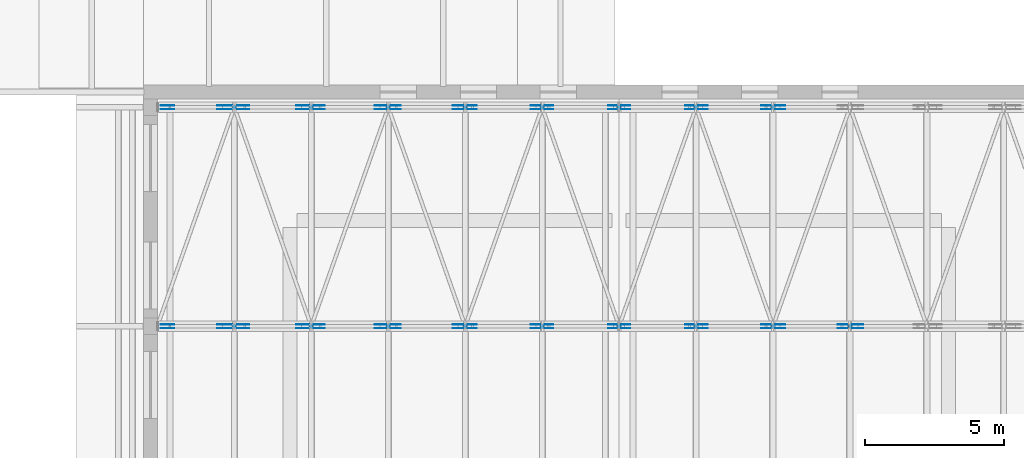
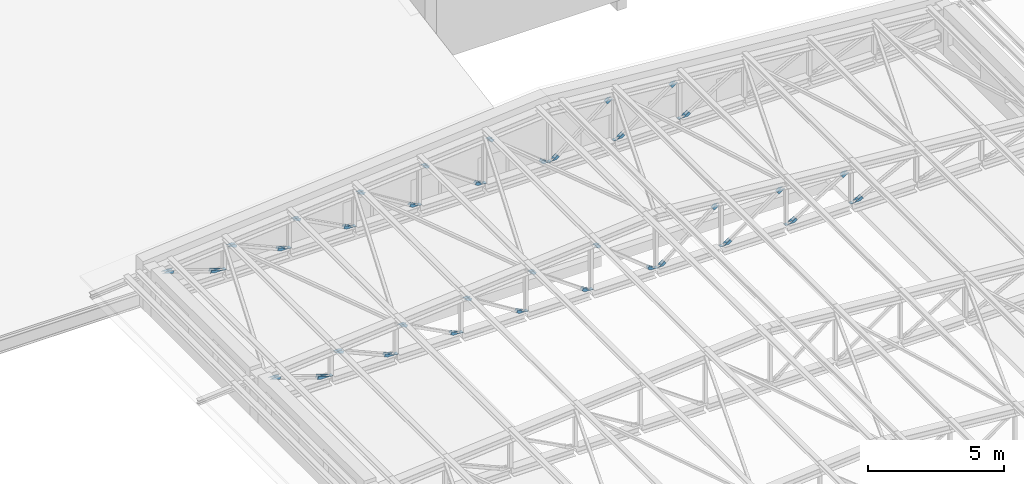
# One storey, part 50 of 60: 89 discrete accessories.
"""IFC4 building model written with IfcOpenShell, lengths in metres."""

import ifcopenshell
import ifcopenshell.guid

model = None  # the IFC model being written
_history = None  # IfcOwnerHistory: only IFC2X3 demands one
_inside = {}  # id of a spatial element -> (the spatial element, [elements in it])
_under = {}  # id of a project, library or spatial element -> (it, [spatial elements below it])
_declared = {}  # id of a project -> (the project, [libraries it declares])
_typed = {}  # id of a type object -> (the type object, [elements of that type])
_made_of = {}  # id of a material, layer set ... -> (it, [elements and type objects made of it])


def new_model(schema):
    """Start an empty IFC model of exactly this schema.

    Asked for "IFC4X3", IfcOpenShell would pick the latest addendum, in which some entities
    have other attributes; the version numbers below select the first issue.
    IFC2X3 requires an IfcOwnerHistory on every rooted entity: one is made here for all.
    """
    global model, _history
    if schema == "IFC4X3":
        model = ifcopenshell.file(schema_version=(4, 3, 0, 0))
    else:
        model = ifcopenshell.file(schema=schema)
    _inside.clear()
    _under.clear()
    _declared.clear()
    _typed.clear()
    _made_of.clear()
    _history = None
    if model.schema == "IFC2X3":
        org = make("IfcOrganization", Name="unknown")
        user = make(
            "IfcPersonAndOrganization",
            ThePerson=make("IfcPerson", FamilyName="unknown"),
            TheOrganization=org,
        )
        app = make(
            "IfcApplication",
            ApplicationDeveloper=org,
            Version="unknown",
            ApplicationFullName="unknown",
            ApplicationIdentifier="unknown",
        )
        _history = make(
            "IfcOwnerHistory",
            OwningUser=user,
            OwningApplication=app,
            ChangeAction="ADDED",
            CreationDate=0,
        )
    return model


def make(cls, **values):
    """One entity of the class cls with the attributes given. An attribute that is None is left unset."""
    return model.create_entity(
        cls, **{name: value for name, value in values.items() if value is not None}
    )


def rooted(cls, **values):
    """An entity with a GlobalId (a new one), such as an element, a storey or a relation."""
    return make(cls, GlobalId=ifcopenshell.guid.new(), OwnerHistory=_history, **values)


def si_unit(unit_type, name, prefix=None):
    """IfcSIUnit, for example si_unit("LENGTHUNIT", "METRE", prefix="MILLI")."""
    return make("IfcSIUnit", UnitType=unit_type, Prefix=prefix, Name=name)


def assignment(units):
    """IfcUnitAssignment: the units of a project."""
    return None if units is None else make("IfcUnitAssignment", Units=units)


def point(xyz):
    """IfcCartesianPoint."""
    return None if xyz is None else make("IfcCartesianPoint", Coordinates=xyz)


def direction(xyz):
    """IfcDirection."""
    return None if xyz is None else make("IfcDirection", DirectionRatios=xyz)


def frame(location, z_axis=None, x_axis=None):
    """IfcAxis2Placement3D, a coordinate frame: its origin and axes. An axis left out is left unset."""
    return make(
        "IfcAxis2Placement3D",
        Location=point(location),
        Axis=direction(z_axis),
        RefDirection=direction(x_axis),
    )


def frame_2d(location, x_axis=None):
    """IfcAxis2Placement2D, a coordinate frame in the plane: its origin and x axis."""
    return make(
        "IfcAxis2Placement2D", Location=point(location), RefDirection=direction(x_axis)
    )


def origin():
    """The frame at (0, 0, 0) with its axes left unset."""
    return frame((0.0, 0.0, 0.0))


def origin_2d():
    """The frame at (0, 0) in the plane with its x axis left unset."""
    return frame_2d((0.0, 0.0))


def place(relative_to, where):
    """IfcLocalPlacement: puts the frame where relative to a parent placement (None: the world)."""
    return make(
        "IfcLocalPlacement", PlacementRelTo=relative_to, RelativePlacement=where
    )


def context(
    kind, dimensions, precision=None, world=None, true_north=None, identifier=None
):
    """IfcGeometricRepresentationContext, for example the 3D "Model" context."""
    return make(
        "IfcGeometricRepresentationContext",
        ContextIdentifier=identifier,
        ContextType=kind,
        CoordinateSpaceDimension=dimensions,
        Precision=precision,
        WorldCoordinateSystem=world,
        TrueNorth=true_north,
    )


def subcontext(parent, identifier, kind, view, scale=None):
    """IfcGeometricRepresentationSubContext, for example "Body" below "Model"."""
    return make(
        "IfcGeometricRepresentationSubContext",
        ContextIdentifier=identifier,
        ContextType=kind,
        ParentContext=parent,
        TargetScale=scale,
        TargetView=view,
    )


def project(units=None, contexts=None):
    """IfcProject with its units and contexts."""
    return rooted(
        "IfcProject",
        Name="project",
        RepresentationContexts=contexts,
        UnitsInContext=assignment(units),
    )


def spatial(cls, under=None, at=None, **own):
    """A site, building, storey or space (cls), placed at a placement, below another one or the project."""
    s = rooted(cls, ObjectPlacement=at, **own)
    if under is not None:
        _under.setdefault(under.id(), (under, []))[1].append(s)
    return s


def polyline(points):
    """IfcPolyline through the points."""
    return make("IfcPolyline", Points=[point(p) for p in points])


def profile(cls, at=None, kind="AREA", **sizes):
    """A parametric profile (cls). Its sizes go by their IFC names, for example OverallWidth=200.0."""
    return make(cls, ProfileType=kind, Position=at, **sizes)


def rectangle(**sizes):
    """IfcRectangleProfileDef."""
    return profile("IfcRectangleProfileDef", **sizes)


def outline(outer, holes=None, kind="AREA"):
    """IfcArbitraryClosedProfileDef: a profile drawn as a closed curve; with holes, ...WithVoids."""
    if holes is None:
        return make("IfcArbitraryClosedProfileDef", ProfileType=kind, OuterCurve=outer)
    return make(
        "IfcArbitraryProfileDefWithVoids",
        ProfileType=kind,
        OuterCurve=outer,
        InnerCurves=holes,
    )


def extrude(swept, where, along, depth):
    """IfcExtrudedAreaSolid: the profile swept, set in the frame where, extruded along a direction by depth."""
    return make(
        "IfcExtrudedAreaSolid",
        SweptArea=swept,
        Position=where,
        ExtrudedDirection=direction(along),
        Depth=depth,
    )


def shape(context_of_items, identifier, shape_type, items):
    """IfcShapeRepresentation: the items that make up one representation, for example the "Body"."""
    return make(
        "IfcShapeRepresentation",
        ContextOfItems=context_of_items,
        RepresentationIdentifier=identifier,
        RepresentationType=shape_type,
        Items=items,
    )


def material(Name=None, Category=None):
    """IfcMaterial."""
    return make("IfcMaterial", Name=Name, Category=Category)


def layer(
    of_material, thickness, ventilated=None, Name=None, Category=None, Priority=None
):
    """IfcMaterialLayer: one layer of a wall or slab, of a material (None: an air gap)."""
    return make(
        "IfcMaterialLayer",
        Material=of_material,
        LayerThickness=thickness,
        IsVentilated=ventilated,
        Name=Name,
        Category=Category,
        Priority=Priority,
    )


def layer_set(layers, Name=None):
    """IfcMaterialLayerSet."""
    return make("IfcMaterialLayerSet", MaterialLayers=layers, LayerSetName=Name)


def made_of(thing, what):
    """Note that an element or type object is made of a material, layer set ...; save() writes the relation."""
    if what is not None:
        _made_of.setdefault(what.id(), (what, []))[1].append(thing)
    return thing


def type_object(cls, material=None, **own):
    """A type object (cls), such as IfcWallType, which elements share."""
    return made_of(rooted(cls, **own), material)


def element(
    cls,
    number,
    at=None,
    inside=None,
    cuts=None,
    type_object=None,
    material=None,
    context=None,
    identifier="Body",
    shape_type=None,
    held_by="IfcProductDefinitionShape",
    body=None,
    shapes=None,
    **own,
):
    """One element of the class cls, such as IfcWall. Its Tag is "e" and its number.

    at: its placement. inside: the storey or other place that contains it. cuts: it is an
    opening in that element (IfcRelVoidsElement). A single representation is given by context,
    identifier, shape_type and body (its items); several are given by shapes. held_by: the class
    of the entity that holds the representations. save() writes the other relations.
    """
    e = rooted(cls, Tag="e%d" % number, ObjectPlacement=at, **own)
    if body is not None:
        shapes = [shape(context, identifier, shape_type, body)]
    if shapes is not None:
        e.Representation = make(held_by, Representations=shapes)
    if inside is not None:
        _inside.setdefault(inside.id(), (inside, []))[1].append(e)
    if cuts is not None:
        rooted(
            "IfcRelVoidsElement", RelatingBuildingElement=cuts, RelatedOpeningElement=e
        )
    if type_object is not None:
        _typed.setdefault(type_object.id(), (type_object, []))[1].append(e)
    return made_of(e, material)


def aggregate(whole, parts):
    """IfcRelAggregates: a whole, such as a stair, and the parts it consists of."""
    return rooted("IfcRelAggregates", RelatingObject=whole, RelatedObjects=parts)


def save(model, path):
    """Write the relations noted so far, then the file.

    IfcRelAggregates (storeys below a building ...), IfcRelContainedInSpatialStructure (elements
    in a storey), IfcRelDefinesByType, IfcRelAssociatesMaterial and IfcRelDeclares: one each for
    every whole, place, type object, material and project.
    """
    for whole, parts in _under.values():
        aggregate(whole, parts)
    for where, things in _inside.values():
        rooted(
            "IfcRelContainedInSpatialStructure",
            RelatedElements=things,
            RelatingStructure=where,
        )
    for kind, things in _typed.values():
        rooted("IfcRelDefinesByType", RelatedObjects=things, RelatingType=kind)
    for what, things in _made_of.values():
        rooted("IfcRelAssociatesMaterial", RelatedObjects=things, RelatingMaterial=what)
    for by, libraries in _declared.values():
        rooted("IfcRelDeclares", RelatingContext=by, RelatedDefinitions=libraries)
    model.write(path)


model = new_model("IFC4")

# Units and contexts
model_context = context("Model", 3, precision=1e-05, world=origin(), true_north=direction((0.0, 1.0)))
body_context = subcontext(model_context, "Body", "Model", "MODEL_VIEW")
ifc_project = project(units=[si_unit("LENGTHUNIT", "METRE"), si_unit("AREAUNIT", "SQUARE_METRE"), si_unit("VOLUMEUNIT", "CUBIC_METRE"), si_unit("PLANEANGLEUNIT", "RADIAN"), si_unit("MASSUNIT", "GRAM", prefix="KILO")], contexts=[model_context])

# Site, building, storey
site_placement = place(None, origin())
site = spatial("IfcSite", under=ifc_project, at=site_placement, CompositionType="ELEMENT")
building_placement = place(site_placement, origin())
building = spatial("IfcBuilding", under=site, at=building_placement, Name="Ljudholm Concert House", CompositionType="ELEMENT")
storey_placement = place(building_placement, frame((0.0, 0.0, 15.0)))
storey = spatial("IfcBuildingStorey", under=building, at=storey_placement, Name="L03", CompositionType="ELEMENT", Elevation=15.0)

# Discrete accessories
ifc_material_1 = material(Name="Steel ASTM A36 plate", Category="steel")
ifc_layer_1 = layer(ifc_material_1, 0.011962890625)
ifc_layer_set_1 = layer_set([ifc_layer_1], Name="Steel ASTM A36 plate")
discrete_accessory_type_1 = type_object("IfcDiscreteAccessoryType", Name="GUSSET PLATE 12", PredefinedType="BRACKET", material=ifc_layer_set_1)
for number, where, z_axis, x_axis, name in (
    (1, (13.093994140625, 37.66943359375, -15.0), (0.0, 0.0, 1.0), (1.0, 0.0, 0.0), "Gusset plate"),
    (2, (13.093994140625, 37.530517578125, -15.0), (0.0, 0.0, 1.0), (1.0, 0.0, 0.0), "Gusset plate"),
):
    element("IfcDiscreteAccessory", number, at=place(storey_placement, frame(where, z_axis=z_axis, x_axis=x_axis)), inside=storey, type_object=discrete_accessory_type_1, Name=name, PredefinedType="BRACKET", context=body_context, shape_type="SweptSolid", body=[
        extrude(outline(polyline([(0.12109375, 16.475341796875), (-0.32958984375, 16.631103515625), (-0.017578125, 16.65771484375), (0.16259765625, 16.595458984375), (0.12109375, 16.475341796875)])), frame((0.0, 0.005859375, 0.0), z_axis=(0.0, -1.0, 0.0), x_axis=(1.0, 0.0, 0.0)), (0.0, 0.0, 1.0), 0.011962890625),
    ])
for number, where, z_axis, x_axis, name in (
    (3, (13.093994140625, 37.66943359375, -15.0), (0.0, 0.0, 1.0), (1.0, 0.0, 0.0), "Gusset plate"),
    (4, (13.093994140625, 37.530517578125, -15.0), (0.0, 0.0, 1.0), (1.0, 0.0, 0.0), "Gusset plate"),
):
    element("IfcDiscreteAccessory", number, at=place(storey_placement, frame(where, z_axis=z_axis, x_axis=x_axis)), inside=storey, type_object=discrete_accessory_type_1, Name=name, PredefinedType="BRACKET", context=body_context, shape_type="SweptSolid", body=[
        extrude(outline(polyline([(1.749267578125, 16.046875), (2.23828125, 15.877685546875), (1.849609375, 15.877685546875), (1.707763671875, 15.9267578125), (1.749267578125, 16.046875)])), frame((0.0, 0.005859375, 0.0), z_axis=(0.0, -1.0, 0.0), x_axis=(1.0, 0.0, 0.0)), (0.0, 0.0, 1.0), 0.011962890625),
    ])
for number, where, z_axis, x_axis, name in (
    (5, (15.777099609375, 37.66943359375, -15.0), (0.0, 0.0, 1.0), (1.0, 0.0, 0.0), "Gusset plate"),
    (6, (15.777099609375, 37.530517578125, -15.0), (0.0, 0.0, 1.0), (1.0, 0.0, 0.0), "Gusset plate"),
):
    element("IfcDiscreteAccessory", number, at=place(storey_placement, frame(where, z_axis=z_axis, x_axis=x_axis)), inside=storey, type_object=discrete_accessory_type_1, Name=name, PredefinedType="BRACKET", context=body_context, shape_type="SweptSolid", body=[
        extrude(outline(polyline([(0.112060546875, 16.698486328125), (-0.2666015625, 16.863525390625), (-0.00048828125, 16.885986328125), (0.162841796875, 16.81494140625), (0.112060546875, 16.698486328125)])), frame((0.0, 0.005859375, 0.0), z_axis=(0.0, -1.0, 0.0), x_axis=(1.0, 0.0, 0.0)), (0.0, 0.0, 1.0), 0.011962890625),
    ])
for number, where, z_axis, x_axis, name in (
    (7, (15.777099609375, 37.66943359375, -15.0), (0.0, 0.0, 1.0), (1.0, 0.0, 0.0), "Gusset plate"),
    (8, (15.777099609375, 37.530517578125, -15.0), (0.0, 0.0, 1.0), (1.0, 0.0, 0.0), "Gusset plate"),
):
    element("IfcDiscreteAccessory", number, at=place(storey_placement, frame(where, z_axis=z_axis, x_axis=x_axis)), inside=storey, type_object=discrete_accessory_type_1, Name=name, PredefinedType="BRACKET", context=body_context, shape_type="SweptSolid", body=[
        extrude(outline(polyline([(1.90869140625, 16.05419921875), (2.3134765625, 15.877685546875), (1.99560546875, 15.877685546875), (1.85791015625, 15.937744140625), (1.90869140625, 16.05419921875)])), frame((0.0, 0.005859375, 0.0), z_axis=(0.0, -1.0, 0.0), x_axis=(1.0, 0.0, 0.0)), (0.0, 0.0, 1.0), 0.011962890625),
    ])
for number, where, z_axis, x_axis, name in (
    (9, (18.48583984375, 37.66943359375, -15.0), (0.0, 0.0, 1.0), (1.0, 0.0, 0.0), "Gusset plate"),
    (10, (18.48583984375, 37.530517578125, -15.0), (0.0, 0.0, 1.0), (1.0, 0.0, 0.0), "Gusset plate"),
):
    element("IfcDiscreteAccessory", number, at=place(storey_placement, frame(where, z_axis=z_axis, x_axis=x_axis)), inside=storey, type_object=discrete_accessory_type_1, Name=name, PredefinedType="BRACKET", context=body_context, shape_type="SweptSolid", body=[
        extrude(outline(polyline([(0.10302734375, 16.924072265625), (-0.22412109375, 17.09619140625), (0.0107421875, 17.1162109375), (0.162353515625, 17.036376953125), (0.10302734375, 16.924072265625)])), frame((0.0, 0.005859375, 0.0), z_axis=(0.0, -1.0, 0.0), x_axis=(1.0, 0.0, 0.0)), (0.0, 0.0, 1.0), 0.011962890625),
    ])
for number, where, z_axis, x_axis, name in (
    (11, (18.48583984375, 37.66943359375, -15.0), (0.0, 0.0, 1.0), (1.0, 0.0, 0.0), "Gusset plate"),
    (12, (18.48583984375, 37.530517578125, -15.0), (0.0, 0.0, 1.0), (1.0, 0.0, 0.0), "Gusset plate"),
):
    element("IfcDiscreteAccessory", number, at=place(storey_placement, frame(where, z_axis=z_axis, x_axis=x_axis)), inside=storey, type_object=discrete_accessory_type_1, Name=name, PredefinedType="BRACKET", context=body_context, shape_type="SweptSolid", body=[
        extrude(outline(polyline([(2.0166015625, 16.06005859375), (2.36279296875, 15.877685546875), (2.09033203125, 15.877685546875), (1.95751953125, 15.94775390625), (2.0166015625, 16.06005859375)])), frame((0.0, 0.005859375, 0.0), z_axis=(0.0, -1.0, 0.0), x_axis=(1.0, 0.0, 0.0)), (0.0, 0.0, 1.0), 0.011962890625),
    ])
for number, where, z_axis, x_axis, name in (
    (13, (21.20947265625, 37.66943359375, -15.0), (0.0, 0.0, 1.0), (1.0, 0.0, 0.0), "Gusset plate"),
    (14, (21.20947265625, 37.530517578125, -15.0), (0.0, 0.0, 1.0), (1.0, 0.0, 0.0), "Gusset plate"),
):
    element("IfcDiscreteAccessory", number, at=place(storey_placement, frame(where, z_axis=z_axis, x_axis=x_axis)), inside=storey, type_object=discrete_accessory_type_1, Name=name, PredefinedType="BRACKET", context=body_context, shape_type="SweptSolid", body=[
        extrude(outline(polyline([(0.09423828125, 17.1513671875), (-0.193603515625, 17.3291015625), (0.018798828125, 17.34716796875), (0.160888671875, 17.259521484375), (0.09423828125, 17.1513671875)])), frame((0.0, 0.005859375, 0.0), z_axis=(0.0, -1.0, 0.0), x_axis=(1.0, 0.0, 0.0)), (0.0, 0.0, 1.0), 0.011962890625),
    ])
for number, where, z_axis, x_axis, name in (
    (15, (21.20947265625, 37.66943359375, -15.0), (0.0, 0.0, 1.0), (1.0, 0.0, 0.0), "Gusset plate"),
    (16, (21.20947265625, 37.530517578125, -15.0), (0.0, 0.0, 1.0), (1.0, 0.0, 0.0), "Gusset plate"),
):
    element("IfcDiscreteAccessory", number, at=place(storey_placement, frame(where, z_axis=z_axis, x_axis=x_axis)), inside=storey, type_object=discrete_accessory_type_1, Name=name, PredefinedType="BRACKET", context=body_context, shape_type="SweptSolid", body=[
        extrude(outline(polyline([(2.09521484375, 16.064697265625), (2.397705078125, 15.877685546875), (2.156005859375, 15.877685546875), (2.0283203125, 15.95654296875), (2.09521484375, 16.064697265625)])), frame((0.0, 0.005859375, 0.0), z_axis=(0.0, -1.0, 0.0), x_axis=(1.0, 0.0, 0.0)), (0.0, 0.0, 1.0), 0.011962890625),
    ])
for number, where, z_axis, x_axis, name in (
    (17, (23.9423828125, 37.66943359375, -15.0), (0.0, 0.0, 1.0), (1.0, 0.0, 0.0), "Gusset plate"),
    (18, (23.9423828125, 37.530517578125, -15.0), (0.0, 0.0, 1.0), (1.0, 0.0, 0.0), "Gusset plate"),
):
    element("IfcDiscreteAccessory", number, at=place(storey_placement, frame(where, z_axis=z_axis, x_axis=x_axis)), inside=storey, type_object=discrete_accessory_type_1, Name=name, PredefinedType="BRACKET", context=body_context, shape_type="SweptSolid", body=[
        extrude(outline(polyline([(0.085693359375, 17.38037109375), (-0.171142578125, 17.562255859375), (0.02490234375, 17.578857421875), (0.1591796875, 17.48388671875), (0.085693359375, 17.38037109375)])), frame((0.0, 0.005859375, 0.0), z_axis=(0.0, -1.0, 0.0), x_axis=(1.0, 0.0, 0.0)), (0.0, 0.0, 1.0), 0.011962890625),
    ])
for number, where, z_axis, x_axis, name in (
    (19, (23.9423828125, 37.66943359375, -15.0), (0.0, 0.0, 1.0), (1.0, 0.0, 0.0), "Gusset plate"),
    (20, (23.9423828125, 37.530517578125, -15.0), (0.0, 0.0, 1.0), (1.0, 0.0, 0.0), "Gusset plate"),
):
    element("IfcDiscreteAccessory", number, at=place(storey_placement, frame(where, z_axis=z_axis, x_axis=x_axis)), inside=storey, type_object=discrete_accessory_type_1, Name=name, PredefinedType="BRACKET", context=body_context, shape_type="SweptSolid", body=[
        extrude(outline(polyline([(2.15478515625, 16.068115234375), (2.423095703125, 15.877685546875), (2.20361328125, 15.877685546875), (2.081298828125, 15.964599609375), (2.15478515625, 16.068115234375)])), frame((0.0, 0.005859375, 0.0), z_axis=(0.0, -1.0, 0.0), x_axis=(1.0, 0.0, 0.0)), (0.0, 0.0, 1.0), 0.011962890625),
    ])
for number, where, z_axis, x_axis, name in (
    (21, (26.681396484375, 37.66943359375, -15.0), (0.0, 0.0, 1.0), (1.0, 0.0, 0.0), "Gusset plate"),
    (22, (26.681396484375, 37.530517578125, -15.0), (0.0, 0.0, 1.0), (1.0, 0.0, 0.0), "Gusset plate"),
):
    element("IfcDiscreteAccessory", number, at=place(storey_placement, frame(where, z_axis=z_axis, x_axis=x_axis)), inside=storey, type_object=discrete_accessory_type_1, Name=name, PredefinedType="BRACKET", context=body_context, shape_type="SweptSolid", body=[
        extrude(outline(polyline([(0.077392578125, 17.6103515625), (-0.15380859375, 17.79541015625), (0.030029296875, 17.81103515625), (0.15673828125, 17.70947265625), (0.077392578125, 17.6103515625)])), frame((0.0, 0.005859375, 0.0), z_axis=(0.0, -1.0, 0.0), x_axis=(1.0, 0.0, 0.0)), (0.0, 0.0, 1.0), 0.011962890625),
    ])
for number, where, z_axis, x_axis, name in (
    (23, (26.681396484375, 37.66943359375, -15.0), (0.0, 0.0, 1.0), (1.0, 0.0, 0.0), "Gusset plate"),
    (24, (26.681396484375, 37.530517578125, -15.0), (0.0, 0.0, 1.0), (1.0, 0.0, 0.0), "Gusset plate"),
):
    element("IfcDiscreteAccessory", number, at=place(storey_placement, frame(where, z_axis=z_axis, x_axis=x_axis)), inside=storey, type_object=discrete_accessory_type_1, Name=name, PredefinedType="BRACKET", context=body_context, shape_type="SweptSolid", body=[
        extrude(outline(polyline([(2.201904296875, 16.07080078125), (2.4423828125, 15.877685546875), (2.239501953125, 15.877685546875), (2.122314453125, 15.9716796875), (2.201904296875, 16.07080078125)])), frame((0.0, 0.005859375, 0.0), z_axis=(0.0, -1.0, 0.0), x_axis=(1.0, 0.0, 0.0)), (0.0, 0.0, 1.0), 0.011962890625),
    ])
for number, where, z_axis, x_axis, name in (
    (25, (29.439697265625, 37.66943359375, -15.0), (0.0, 0.0, 1.0), (1.0, 0.0, 0.0), "Gusset plate"),
    (26, (29.439697265625, 37.530517578125, -15.0), (0.0, 0.0, 1.0), (1.0, 0.0, 0.0), "Gusset plate"),
):
    element("IfcDiscreteAccessory", number, at=place(storey_placement, frame(where, z_axis=z_axis, x_axis=x_axis)), inside=storey, type_object=discrete_accessory_type_1, Name=name, PredefinedType="BRACKET", context=body_context, shape_type="SweptSolid", body=[
        extrude(outline(polyline([(0.15673828125, 15.9716796875), (0.039794921875, 15.877685546875), (-0.163330078125, 15.877685546875), (0.077392578125, 16.07080078125), (0.15673828125, 15.9716796875)])), frame((0.0, 0.005859375, 0.0), z_axis=(0.0, -1.0, 0.0), x_axis=(1.0, 0.0, 0.0)), (0.0, 0.0, 1.0), 0.011962890625),
    ])
for number, where, z_axis, x_axis, name in (
    (27, (29.439697265625, 37.66943359375, -15.0), (0.0, 0.0, 1.0), (1.0, 0.0, 0.0), "Gusset plate"),
    (28, (29.439697265625, 37.530517578125, -15.0), (0.0, 0.0, 1.0), (1.0, 0.0, 0.0), "Gusset plate"),
):
    element("IfcDiscreteAccessory", number, at=place(storey_placement, frame(where, z_axis=z_axis, x_axis=x_axis)), inside=storey, type_object=discrete_accessory_type_1, Name=name, PredefinedType="BRACKET", context=body_context, shape_type="SweptSolid", body=[
        extrude(outline(polyline([(2.122314453125, 17.70947265625), (2.2490234375, 17.81103515625), (2.432861328125, 17.79541015625), (2.201904296875, 17.6103515625), (2.122314453125, 17.70947265625)])), frame((0.0, 0.005859375, 0.0), z_axis=(0.0, -1.0, 0.0), x_axis=(1.0, 0.0, 0.0)), (0.0, 0.0, 1.0), 0.011962890625),
    ])
for number, where, z_axis, x_axis, name in (
    (29, (32.21728515625, 37.66943359375, -15.0), (0.0, 0.0, 1.0), (1.0, 0.0, 0.0), "Gusset plate"),
    (30, (32.21728515625, 37.530517578125, -15.0), (0.0, 0.0, 1.0), (1.0, 0.0, 0.0), "Gusset plate"),
):
    element("IfcDiscreteAccessory", number, at=place(storey_placement, frame(where, z_axis=z_axis, x_axis=x_axis)), inside=storey, type_object=discrete_accessory_type_1, Name=name, PredefinedType="BRACKET", context=body_context, shape_type="SweptSolid", body=[
        extrude(outline(polyline([(0.1591796875, 15.964599609375), (0.03662109375, 15.877685546875), (-0.182861328125, 15.877685546875), (0.085693359375, 16.068115234375), (0.1591796875, 15.964599609375)])), frame((0.0, 0.005859375, 0.0), z_axis=(0.0, -1.0, 0.0), x_axis=(1.0, 0.0, 0.0)), (0.0, 0.0, 1.0), 0.011962890625),
    ])
for number, where, z_axis, x_axis, name in (
    (31, (32.21728515625, 37.66943359375, -15.0), (0.0, 0.0, 1.0), (1.0, 0.0, 0.0), "Gusset plate"),
    (32, (32.21728515625, 37.530517578125, -15.0), (0.0, 0.0, 1.0), (1.0, 0.0, 0.0), "Gusset plate"),
):
    element("IfcDiscreteAccessory", number, at=place(storey_placement, frame(where, z_axis=z_axis, x_axis=x_axis)), inside=storey, type_object=discrete_accessory_type_1, Name=name, PredefinedType="BRACKET", context=body_context, shape_type="SweptSolid", body=[
        extrude(outline(polyline([(2.081298828125, 17.48388671875), (2.21533203125, 17.578857421875), (2.41162109375, 17.562255859375), (2.15478515625, 17.38037109375), (2.081298828125, 17.48388671875)])), frame((0.0, 0.005859375, 0.0), z_axis=(0.0, -1.0, 0.0), x_axis=(1.0, 0.0, 0.0)), (0.0, 0.0, 1.0), 0.011962890625),
    ])
for number, where, z_axis, x_axis, name in (
    (33, (35.001220703125, 37.66943359375, -15.0), (0.0, 0.0, 1.0), (1.0, 0.0, 0.0), "Gusset plate"),
    (34, (35.001220703125, 37.530517578125, -15.0), (0.0, 0.0, 1.0), (1.0, 0.0, 0.0), "Gusset plate"),
):
    element("IfcDiscreteAccessory", number, at=place(storey_placement, frame(where, z_axis=z_axis, x_axis=x_axis)), inside=storey, type_object=discrete_accessory_type_1, Name=name, PredefinedType="BRACKET", context=body_context, shape_type="SweptSolid", body=[
        extrude(outline(polyline([(0.160888671875, 15.95654296875), (0.033447265625, 15.877685546875), (-0.208251953125, 15.877685546875), (0.09423828125, 16.064697265625), (0.160888671875, 15.95654296875)])), frame((0.0, 0.005859375, 0.0), z_axis=(0.0, -1.0, 0.0), x_axis=(1.0, 0.0, 0.0)), (0.0, 0.0, 1.0), 0.011962890625),
    ])
for number, where, z_axis, x_axis, name in (
    (35, (35.001220703125, 37.66943359375, -15.0), (0.0, 0.0, 1.0), (1.0, 0.0, 0.0), "Gusset plate"),
    (36, (35.001220703125, 37.530517578125, -15.0), (0.0, 0.0, 1.0), (1.0, 0.0, 0.0), "Gusset plate"),
):
    element("IfcDiscreteAccessory", number, at=place(storey_placement, frame(where, z_axis=z_axis, x_axis=x_axis)), inside=storey, type_object=discrete_accessory_type_1, Name=name, PredefinedType="BRACKET", context=body_context, shape_type="SweptSolid", body=[
        extrude(outline(polyline([(2.0283203125, 17.259521484375), (2.17041015625, 17.34716796875), (2.383056640625, 17.3291015625), (2.09521484375, 17.1513671875), (2.0283203125, 17.259521484375)])), frame((0.0, 0.005859375, 0.0), z_axis=(0.0, -1.0, 0.0), x_axis=(1.0, 0.0, 0.0)), (0.0, 0.0, 1.0), 0.011962890625),
    ])
for number, where, z_axis, x_axis, name in (
    (37, (37.794189453125, 37.66943359375, -15.0), (0.0, 0.0, 1.0), (1.0, 0.0, 0.0), "Gusset plate"),
    (38, (37.794189453125, 37.530517578125, -15.0), (0.0, 0.0, 1.0), (1.0, 0.0, 0.0), "Gusset plate"),
):
    element("IfcDiscreteAccessory", number, at=place(storey_placement, frame(where, z_axis=z_axis, x_axis=x_axis)), inside=storey, type_object=discrete_accessory_type_1, Name=name, PredefinedType="BRACKET", context=body_context, shape_type="SweptSolid", body=[
        extrude(outline(polyline([(0.162353515625, 15.94775390625), (0.029541015625, 15.877685546875), (-0.242919921875, 15.877685546875), (0.10302734375, 16.06005859375), (0.162353515625, 15.94775390625)])), frame((0.0, 0.005859375, 0.0), z_axis=(0.0, -1.0, 0.0), x_axis=(1.0, 0.0, 0.0)), (0.0, 0.0, 1.0), 0.011962890625),
    ])
for number, where, z_axis, x_axis, name in (
    (39, (13.093994140625, 45.51953125, -15.0), (0.0, 0.0, 1.0), (1.0, 0.0, 0.0), "Gusset plate"),
    (40, (13.093994140625, 45.380615234375, -15.0), (0.0, 0.0, 1.0), (1.0, 0.0, 0.0), "Gusset plate"),
):
    element("IfcDiscreteAccessory", number, at=place(storey_placement, frame(where, z_axis=z_axis, x_axis=x_axis)), inside=storey, type_object=discrete_accessory_type_1, Name=name, PredefinedType="BRACKET", context=body_context, shape_type="SweptSolid", body=[
        extrude(outline(polyline([(0.12109375, 16.475341796875), (-0.32958984375, 16.631103515625), (-0.017578125, 16.65771484375), (0.16259765625, 16.595458984375), (0.12109375, 16.475341796875)])), frame((0.0, 0.005859375, 0.0), z_axis=(0.0, -1.0, 0.0), x_axis=(1.0, 0.0, 0.0)), (0.0, 0.0, 1.0), 0.011962890625),
    ])
for number, where, z_axis, x_axis, name in (
    (41, (13.093994140625, 45.51953125, -15.0), (0.0, 0.0, 1.0), (1.0, 0.0, 0.0), "Gusset plate"),
    (42, (13.093994140625, 45.380615234375, -15.0), (0.0, 0.0, 1.0), (1.0, 0.0, 0.0), "Gusset plate"),
):
    element("IfcDiscreteAccessory", number, at=place(storey_placement, frame(where, z_axis=z_axis, x_axis=x_axis)), inside=storey, type_object=discrete_accessory_type_1, Name=name, PredefinedType="BRACKET", context=body_context, shape_type="SweptSolid", body=[
        extrude(outline(polyline([(1.749267578125, 16.046875), (2.23828125, 15.877685546875), (1.849609375, 15.877685546875), (1.707763671875, 15.9267578125), (1.749267578125, 16.046875)])), frame((0.0, 0.005859375, 0.0), z_axis=(0.0, -1.0, 0.0), x_axis=(1.0, 0.0, 0.0)), (0.0, 0.0, 1.0), 0.011962890625),
    ])
for number, where, z_axis, x_axis, name in (
    (43, (15.777099609375, 45.51953125, -15.0), (0.0, 0.0, 1.0), (1.0, 0.0, 0.0), "Gusset plate"),
    (44, (15.777099609375, 45.380615234375, -15.0), (0.0, 0.0, 1.0), (1.0, 0.0, 0.0), "Gusset plate"),
):
    element("IfcDiscreteAccessory", number, at=place(storey_placement, frame(where, z_axis=z_axis, x_axis=x_axis)), inside=storey, type_object=discrete_accessory_type_1, Name=name, PredefinedType="BRACKET", context=body_context, shape_type="SweptSolid", body=[
        extrude(outline(polyline([(0.112060546875, 16.698486328125), (-0.2666015625, 16.863525390625), (-0.00048828125, 16.885986328125), (0.162841796875, 16.81494140625), (0.112060546875, 16.698486328125)])), frame((0.0, 0.005859375, 0.0), z_axis=(0.0, -1.0, 0.0), x_axis=(1.0, 0.0, 0.0)), (0.0, 0.0, 1.0), 0.011962890625),
    ])
for number, where, z_axis, x_axis, name in (
    (45, (15.777099609375, 45.51953125, -15.0), (0.0, 0.0, 1.0), (1.0, 0.0, 0.0), "Gusset plate"),
    (46, (15.777099609375, 45.380615234375, -15.0), (0.0, 0.0, 1.0), (1.0, 0.0, 0.0), "Gusset plate"),
):
    element("IfcDiscreteAccessory", number, at=place(storey_placement, frame(where, z_axis=z_axis, x_axis=x_axis)), inside=storey, type_object=discrete_accessory_type_1, Name=name, PredefinedType="BRACKET", context=body_context, shape_type="SweptSolid", body=[
        extrude(outline(polyline([(1.90869140625, 16.05419921875), (2.3134765625, 15.877685546875), (1.99560546875, 15.877685546875), (1.85791015625, 15.937744140625), (1.90869140625, 16.05419921875)])), frame((0.0, 0.005859375, 0.0), z_axis=(0.0, -1.0, 0.0), x_axis=(1.0, 0.0, 0.0)), (0.0, 0.0, 1.0), 0.011962890625),
    ])
for number, where, z_axis, x_axis, name in (
    (47, (18.48583984375, 45.51953125, -15.0), (0.0, 0.0, 1.0), (1.0, 0.0, 0.0), "Gusset plate"),
    (48, (18.48583984375, 45.380615234375, -15.0), (0.0, 0.0, 1.0), (1.0, 0.0, 0.0), "Gusset plate"),
):
    element("IfcDiscreteAccessory", number, at=place(storey_placement, frame(where, z_axis=z_axis, x_axis=x_axis)), inside=storey, type_object=discrete_accessory_type_1, Name=name, PredefinedType="BRACKET", context=body_context, shape_type="SweptSolid", body=[
        extrude(outline(polyline([(0.10302734375, 16.924072265625), (-0.22412109375, 17.09619140625), (0.0107421875, 17.1162109375), (0.162353515625, 17.036376953125), (0.10302734375, 16.924072265625)])), frame((0.0, 0.005859375, 0.0), z_axis=(0.0, -1.0, 0.0), x_axis=(1.0, 0.0, 0.0)), (0.0, 0.0, 1.0), 0.011962890625),
    ])
for number, where, z_axis, x_axis, name in (
    (49, (18.48583984375, 45.51953125, -15.0), (0.0, 0.0, 1.0), (1.0, 0.0, 0.0), "Gusset plate"),
    (50, (18.48583984375, 45.380615234375, -15.0), (0.0, 0.0, 1.0), (1.0, 0.0, 0.0), "Gusset plate"),
):
    element("IfcDiscreteAccessory", number, at=place(storey_placement, frame(where, z_axis=z_axis, x_axis=x_axis)), inside=storey, type_object=discrete_accessory_type_1, Name=name, PredefinedType="BRACKET", context=body_context, shape_type="SweptSolid", body=[
        extrude(outline(polyline([(2.0166015625, 16.06005859375), (2.36279296875, 15.877685546875), (2.09033203125, 15.877685546875), (1.95751953125, 15.94775390625), (2.0166015625, 16.06005859375)])), frame((0.0, 0.005859375, 0.0), z_axis=(0.0, -1.0, 0.0), x_axis=(1.0, 0.0, 0.0)), (0.0, 0.0, 1.0), 0.011962890625),
    ])
for number, where, z_axis, x_axis, name in (
    (51, (21.20947265625, 45.51953125, -15.0), (0.0, 0.0, 1.0), (1.0, 0.0, 0.0), "Gusset plate"),
    (52, (21.20947265625, 45.380615234375, -15.0), (0.0, 0.0, 1.0), (1.0, 0.0, 0.0), "Gusset plate"),
):
    element("IfcDiscreteAccessory", number, at=place(storey_placement, frame(where, z_axis=z_axis, x_axis=x_axis)), inside=storey, type_object=discrete_accessory_type_1, Name=name, PredefinedType="BRACKET", context=body_context, shape_type="SweptSolid", body=[
        extrude(outline(polyline([(0.09423828125, 17.1513671875), (-0.193603515625, 17.3291015625), (0.018798828125, 17.34716796875), (0.160888671875, 17.259521484375), (0.09423828125, 17.1513671875)])), frame((0.0, 0.005859375, 0.0), z_axis=(0.0, -1.0, 0.0), x_axis=(1.0, 0.0, 0.0)), (0.0, 0.0, 1.0), 0.011962890625),
    ])
for number, where, z_axis, x_axis, name in (
    (53, (21.20947265625, 45.51953125, -15.0), (0.0, 0.0, 1.0), (1.0, 0.0, 0.0), "Gusset plate"),
    (54, (21.20947265625, 45.380615234375, -15.0), (0.0, 0.0, 1.0), (1.0, 0.0, 0.0), "Gusset plate"),
):
    element("IfcDiscreteAccessory", number, at=place(storey_placement, frame(where, z_axis=z_axis, x_axis=x_axis)), inside=storey, type_object=discrete_accessory_type_1, Name=name, PredefinedType="BRACKET", context=body_context, shape_type="SweptSolid", body=[
        extrude(outline(polyline([(2.09521484375, 16.064697265625), (2.397705078125, 15.877685546875), (2.156005859375, 15.877685546875), (2.0283203125, 15.95654296875), (2.09521484375, 16.064697265625)])), frame((0.0, 0.005859375, 0.0), z_axis=(0.0, -1.0, 0.0), x_axis=(1.0, 0.0, 0.0)), (0.0, 0.0, 1.0), 0.011962890625),
    ])
for number, where, z_axis, x_axis, name in (
    (55, (23.9423828125, 45.51953125, -15.0), (0.0, 0.0, 1.0), (1.0, 0.0, 0.0), "Gusset plate"),
    (56, (23.9423828125, 45.380615234375, -15.0), (0.0, 0.0, 1.0), (1.0, 0.0, 0.0), "Gusset plate"),
):
    element("IfcDiscreteAccessory", number, at=place(storey_placement, frame(where, z_axis=z_axis, x_axis=x_axis)), inside=storey, type_object=discrete_accessory_type_1, Name=name, PredefinedType="BRACKET", context=body_context, shape_type="SweptSolid", body=[
        extrude(outline(polyline([(0.085693359375, 17.38037109375), (-0.171142578125, 17.562255859375), (0.02490234375, 17.578857421875), (0.1591796875, 17.48388671875), (0.085693359375, 17.38037109375)])), frame((0.0, 0.005859375, 0.0), z_axis=(0.0, -1.0, 0.0), x_axis=(1.0, 0.0, 0.0)), (0.0, 0.0, 1.0), 0.011962890625),
    ])
for number, where, z_axis, x_axis, name in (
    (57, (23.9423828125, 45.51953125, -15.0), (0.0, 0.0, 1.0), (1.0, 0.0, 0.0), "Gusset plate"),
    (58, (23.9423828125, 45.380615234375, -15.0), (0.0, 0.0, 1.0), (1.0, 0.0, 0.0), "Gusset plate"),
):
    element("IfcDiscreteAccessory", number, at=place(storey_placement, frame(where, z_axis=z_axis, x_axis=x_axis)), inside=storey, type_object=discrete_accessory_type_1, Name=name, PredefinedType="BRACKET", context=body_context, shape_type="SweptSolid", body=[
        extrude(outline(polyline([(2.15478515625, 16.068115234375), (2.423095703125, 15.877685546875), (2.20361328125, 15.877685546875), (2.081298828125, 15.964599609375), (2.15478515625, 16.068115234375)])), frame((0.0, 0.005859375, 0.0), z_axis=(0.0, -1.0, 0.0), x_axis=(1.0, 0.0, 0.0)), (0.0, 0.0, 1.0), 0.011962890625),
    ])
for number, where, z_axis, x_axis, name in (
    (59, (26.681396484375, 45.51953125, -15.0), (0.0, 0.0, 1.0), (1.0, 0.0, 0.0), "Gusset plate"),
    (60, (26.681396484375, 45.380615234375, -15.0), (0.0, 0.0, 1.0), (1.0, 0.0, 0.0), "Gusset plate"),
):
    element("IfcDiscreteAccessory", number, at=place(storey_placement, frame(where, z_axis=z_axis, x_axis=x_axis)), inside=storey, type_object=discrete_accessory_type_1, Name=name, PredefinedType="BRACKET", context=body_context, shape_type="SweptSolid", body=[
        extrude(outline(polyline([(0.077392578125, 17.6103515625), (-0.15380859375, 17.79541015625), (0.030029296875, 17.81103515625), (0.15673828125, 17.70947265625), (0.077392578125, 17.6103515625)])), frame((0.0, 0.005859375, 0.0), z_axis=(0.0, -1.0, 0.0), x_axis=(1.0, 0.0, 0.0)), (0.0, 0.0, 1.0), 0.011962890625),
    ])
for number, where, z_axis, x_axis, name in (
    (61, (26.681396484375, 45.51953125, -15.0), (0.0, 0.0, 1.0), (1.0, 0.0, 0.0), "Gusset plate"),
    (62, (26.681396484375, 45.380615234375, -15.0), (0.0, 0.0, 1.0), (1.0, 0.0, 0.0), "Gusset plate"),
):
    element("IfcDiscreteAccessory", number, at=place(storey_placement, frame(where, z_axis=z_axis, x_axis=x_axis)), inside=storey, type_object=discrete_accessory_type_1, Name=name, PredefinedType="BRACKET", context=body_context, shape_type="SweptSolid", body=[
        extrude(outline(polyline([(2.201904296875, 16.07080078125), (2.4423828125, 15.877685546875), (2.239501953125, 15.877685546875), (2.122314453125, 15.9716796875), (2.201904296875, 16.07080078125)])), frame((0.0, 0.005859375, 0.0), z_axis=(0.0, -1.0, 0.0), x_axis=(1.0, 0.0, 0.0)), (0.0, 0.0, 1.0), 0.011962890625),
    ])
for number, where, z_axis, x_axis, name in (
    (63, (29.439697265625, 45.51953125, -15.0), (0.0, 0.0, 1.0), (1.0, 0.0, 0.0), "Gusset plate"),
    (64, (29.439697265625, 45.380615234375, -15.0), (0.0, 0.0, 1.0), (1.0, 0.0, 0.0), "Gusset plate"),
):
    element("IfcDiscreteAccessory", number, at=place(storey_placement, frame(where, z_axis=z_axis, x_axis=x_axis)), inside=storey, type_object=discrete_accessory_type_1, Name=name, PredefinedType="BRACKET", context=body_context, shape_type="SweptSolid", body=[
        extrude(outline(polyline([(0.15673828125, 15.9716796875), (0.039794921875, 15.877685546875), (-0.163330078125, 15.877685546875), (0.077392578125, 16.07080078125), (0.15673828125, 15.9716796875)])), frame((0.0, 0.005859375, 0.0), z_axis=(0.0, -1.0, 0.0), x_axis=(1.0, 0.0, 0.0)), (0.0, 0.0, 1.0), 0.011962890625),
    ])
for number, where, z_axis, x_axis, name in (
    (65, (29.439697265625, 45.51953125, -15.0), (0.0, 0.0, 1.0), (1.0, 0.0, 0.0), "Gusset plate"),
    (66, (29.439697265625, 45.380615234375, -15.0), (0.0, 0.0, 1.0), (1.0, 0.0, 0.0), "Gusset plate"),
):
    element("IfcDiscreteAccessory", number, at=place(storey_placement, frame(where, z_axis=z_axis, x_axis=x_axis)), inside=storey, type_object=discrete_accessory_type_1, Name=name, PredefinedType="BRACKET", context=body_context, shape_type="SweptSolid", body=[
        extrude(outline(polyline([(2.122314453125, 17.70947265625), (2.2490234375, 17.81103515625), (2.432861328125, 17.79541015625), (2.201904296875, 17.6103515625), (2.122314453125, 17.70947265625)])), frame((0.0, 0.005859375, 0.0), z_axis=(0.0, -1.0, 0.0), x_axis=(1.0, 0.0, 0.0)), (0.0, 0.0, 1.0), 0.011962890625),
    ])
for number, where, z_axis, x_axis, name in (
    (67, (32.21728515625, 45.51953125, -15.0), (0.0, 0.0, 1.0), (1.0, 0.0, 0.0), "Gusset plate"),
    (68, (32.21728515625, 45.380615234375, -15.0), (0.0, 0.0, 1.0), (1.0, 0.0, 0.0), "Gusset plate"),
):
    element("IfcDiscreteAccessory", number, at=place(storey_placement, frame(where, z_axis=z_axis, x_axis=x_axis)), inside=storey, type_object=discrete_accessory_type_1, Name=name, PredefinedType="BRACKET", context=body_context, shape_type="SweptSolid", body=[
        extrude(outline(polyline([(0.1591796875, 15.964599609375), (0.03662109375, 15.877685546875), (-0.182861328125, 15.877685546875), (0.085693359375, 16.068115234375), (0.1591796875, 15.964599609375)])), frame((0.0, 0.005859375, 0.0), z_axis=(0.0, -1.0, 0.0), x_axis=(1.0, 0.0, 0.0)), (0.0, 0.0, 1.0), 0.011962890625),
    ])
for number, where, z_axis, x_axis, name in (
    (69, (32.21728515625, 45.51953125, -15.0), (0.0, 0.0, 1.0), (1.0, 0.0, 0.0), "Gusset plate"),
    (70, (32.21728515625, 45.380615234375, -15.0), (0.0, 0.0, 1.0), (1.0, 0.0, 0.0), "Gusset plate"),
):
    element("IfcDiscreteAccessory", number, at=place(storey_placement, frame(where, z_axis=z_axis, x_axis=x_axis)), inside=storey, type_object=discrete_accessory_type_1, Name=name, PredefinedType="BRACKET", context=body_context, shape_type="SweptSolid", body=[
        extrude(outline(polyline([(2.081298828125, 17.48388671875), (2.21533203125, 17.578857421875), (2.41162109375, 17.562255859375), (2.15478515625, 17.38037109375), (2.081298828125, 17.48388671875)])), frame((0.0, 0.005859375, 0.0), z_axis=(0.0, -1.0, 0.0), x_axis=(1.0, 0.0, 0.0)), (0.0, 0.0, 1.0), 0.011962890625),
    ])
for number, where, z_axis, x_axis, name in (
    (71, (35.001220703125, 45.51953125, -15.0), (0.0, 0.0, 1.0), (1.0, 0.0, 0.0), "Gusset plate"),
    (72, (35.001220703125, 45.380615234375, -15.0), (0.0, 0.0, 1.0), (1.0, 0.0, 0.0), "Gusset plate"),
):
    element("IfcDiscreteAccessory", number, at=place(storey_placement, frame(where, z_axis=z_axis, x_axis=x_axis)), inside=storey, type_object=discrete_accessory_type_1, Name=name, PredefinedType="BRACKET", context=body_context, shape_type="SweptSolid", body=[
        extrude(outline(polyline([(0.160888671875, 15.95654296875), (0.033447265625, 15.877685546875), (-0.208251953125, 15.877685546875), (0.09423828125, 16.064697265625), (0.160888671875, 15.95654296875)])), frame((0.0, 0.005859375, 0.0), z_axis=(0.0, -1.0, 0.0), x_axis=(1.0, 0.0, 0.0)), (0.0, 0.0, 1.0), 0.011962890625),
    ])
ifc_material_2 = material(Name="Steel ASTM A36 plate", Category="steel")
ifc_layer_2 = layer(ifc_material_2, 0.01806640625)
ifc_layer_set_2 = layer_set([ifc_layer_2], Name="Steel ASTM A36 plate")
discrete_accessory_type_2 = type_object("IfcDiscreteAccessoryType", Name="SPLICE PLATE 18", PredefinedType="BRACKET", material=ifc_layer_set_2)
for number, where, z_axis, x_axis, name in (
    (73, (15.408203125, 37.60009765625, 0.85986328125), (0.0, 0.0, 1.0), (1.0, 0.0, 0.0), "Chord splice plate"),
    (74, (18.166748046875, 37.60009765625, 0.85986328125), (0.0, 0.0, 1.0), (1.0, 0.0, 0.0), "Chord splice plate"),
    (75, (20.925048828125, 37.60009765625, 0.85986328125), (0.0, 0.0, 1.0), (1.0, 0.0, 0.0), "Chord splice plate"),
    (76, (23.683349609375, 37.60009765625, 0.85986328125), (0.0, 0.0, 1.0), (1.0, 0.0, 0.0), "Chord splice plate"),
    (77, (26.441650390625, 37.60009765625, 0.85986328125), (0.0, 0.0, 1.0), (1.0, 0.0, 0.0), "Chord splice plate"),
    (78, (29.199951171875, 37.60009765625, 0.85986328125), (0.0, 0.0, 1.0), (1.0, 0.0, 0.0), "Chord splice plate"),
    (79, (31.958251953125, 37.60009765625, 0.85986328125), (0.0, 0.0, 1.0), (1.0, 0.0, 0.0), "Chord splice plate"),
    (80, (34.716796875, 37.60009765625, 0.85986328125), (0.0, 0.0, 1.0), (1.0, 0.0, 0.0), "Chord splice plate"),
    (81, (37.47509765625, 37.60009765625, 0.85986328125), (0.0, 0.0, 1.0), (1.0, 0.0, 0.0), "Chord splice plate"),
    (82, (15.408203125, 45.449951171875, 0.85986328125), (0.0, 0.0, 1.0), (1.0, 0.0, 0.0), "Chord splice plate"),
    (83, (18.166748046875, 45.449951171875, 0.85986328125), (0.0, 0.0, 1.0), (1.0, 0.0, 0.0), "Chord splice plate"),
    (84, (20.925048828125, 45.449951171875, 0.85986328125), (0.0, 0.0, 1.0), (1.0, 0.0, 0.0), "Chord splice plate"),
    (85, (23.683349609375, 45.449951171875, 0.85986328125), (0.0, 0.0, 1.0), (1.0, 0.0, 0.0), "Chord splice plate"),
    (86, (26.441650390625, 45.449951171875, 0.85986328125), (0.0, 0.0, 1.0), (1.0, 0.0, 0.0), "Chord splice plate"),
    (87, (29.199951171875, 45.449951171875, 0.85986328125), (0.0, 0.0, 1.0), (1.0, 0.0, 0.0), "Chord splice plate"),
    (88, (31.958251953125, 45.449951171875, 0.85986328125), (0.0, 0.0, 1.0), (1.0, 0.0, 0.0), "Chord splice plate"),
    (89, (34.716796875, 45.449951171875, 0.85986328125), (0.0, 0.0, 1.0), (1.0, 0.0, 0.0), "Chord splice plate"),
):
    element("IfcDiscreteAccessory", number, at=place(storey_placement, frame(where, z_axis=z_axis, x_axis=x_axis)), inside=storey, type_object=discrete_accessory_type_2, Name=name, PredefinedType="BRACKET", context=body_context, shape_type="SweptSolid", body=[
        extrude(rectangle(XDim=0.1240234375, YDim=0.15234375, at=origin_2d()), origin(), (0.0, 0.0, 1.0), 0.01806640625),
    ])

save(model, "model.ifc")
